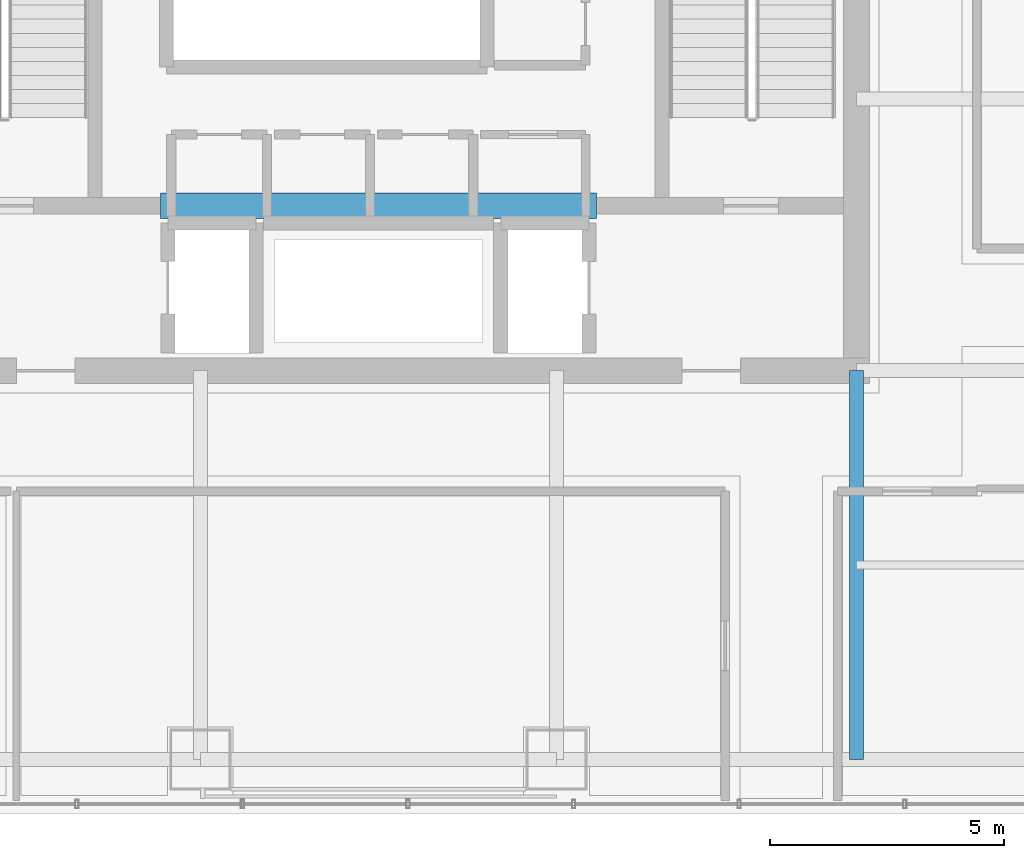
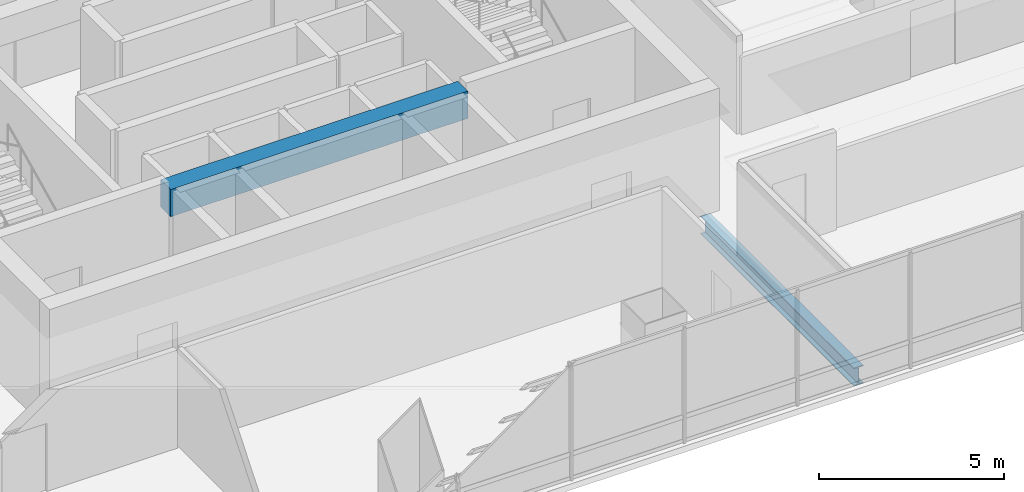
# One storey, part 9 of 42: 2 beams.
"""IFC4 building model written with IfcOpenShell, lengths in metres."""

from ifc_helpers import new_model, si_unit, direction, frame, origin, origin_2d, place, context, subcontext, project, spatial, rectangle, i_section, extrude, material, material_profile, profile_set, type_object, element, save


model = new_model("IFC4")

# Units and contexts
model_context = context("Model", 3, precision=1e-05, world=origin(), true_north=direction((0.0, 1.0)))
body_context = subcontext(model_context, "Body", "Model", "MODEL_VIEW")
ifc_project = project(units=[si_unit("LENGTHUNIT", "METRE"), si_unit("AREAUNIT", "SQUARE_METRE"), si_unit("VOLUMEUNIT", "CUBIC_METRE"), si_unit("PLANEANGLEUNIT", "RADIAN"), si_unit("MASSUNIT", "GRAM", prefix="KILO")], contexts=[model_context])

# Site, building, storey
site_placement = place(None, origin())
site = spatial("IfcSite", under=ifc_project, at=site_placement, CompositionType="ELEMENT")
building_placement = place(site_placement, origin())
building = spatial("IfcBuilding", under=site, at=building_placement, Name="Punatoya Terracotta Tower", CompositionType="ELEMENT")
storey_placement = place(building_placement, frame((0.0, 0.0, 263.550048828125)))
storey = spatial("IfcBuildingStorey", under=building, at=storey_placement, Name="L62", CompositionType="ELEMENT", Elevation=263.550048828125)

# Beams
ifc_material_1 = material(Name="Steel S355", Category="steel")
ifc_material_profile_1 = material_profile(ifc_material_1, i_section(OverallWidth=0.300048828125, OverallDepth=0.60009765625, WebThickness=0.015380859375, FlangeThickness=0.030029296875, FilletRadius=0.01806640625, at=origin_2d()))
ifc_profile_set_1 = profile_set([ifc_material_profile_1], Name="Steel S355")
beam_type_1 = type_object("IfcBeamType", Name="BM-PRI-600", PredefinedType="BEAM", material=ifc_profile_set_1)
beam_1_placement = place(storey_placement, frame((10.199951171875, -17.5, -0.5), z_axis=(0.0, 1.0, 0.0), x_axis=(-1.0, 0.0, 0.0)))
element("IfcBeam", 1, at=beam_1_placement, inside=storey, type_object=beam_type_1, Name="BM-L62-PR-S4", PredefinedType="BEAM", context=body_context, shape_type="SweptSolid", body=[
    extrude(i_section(OverallWidth=0.300048828125, OverallDepth=0.60009765625, WebThickness=0.015380859375, FlangeThickness=0.030029296875, FilletRadius=0.01806640625, at=origin_2d()), origin(), (0.0, 0.0, 1.0), 8.300048828125),
])
ifc_material_2 = material(Name="Concrete C50/60", Category="concrete")
ifc_material_profile_2 = material_profile(ifc_material_2, rectangle(XDim=0.550048828125, YDim=0.89990234375, at=origin_2d()))
ifc_profile_set_2 = profile_set([ifc_material_profile_2], Name="Concrete C50/60")
beam_type_2 = type_object("IfcBeamType", Name="BM-RC-900", PredefinedType="LINTEL", material=ifc_profile_set_2)
beam_2_placement = place(storey_placement, frame((-4.64990234375, -5.679931640625, 3.39990234375), z_axis=(1.0, 0.0, 0.0), x_axis=(0.0, 1.0, 0.0)))
element("IfcBeam", 2, at=beam_2_placement, inside=storey, type_object=beam_type_2, Name="L62 Core Coupling Lintel CSW", PredefinedType="LINTEL", context=body_context, shape_type="SweptSolid", body=[
    extrude(rectangle(XDim=0.550048828125, YDim=0.89990234375, at=origin_2d()), origin(), (0.0, 0.0, 1.0), 9.2998046875),
])

save(model, "model.ifc")
